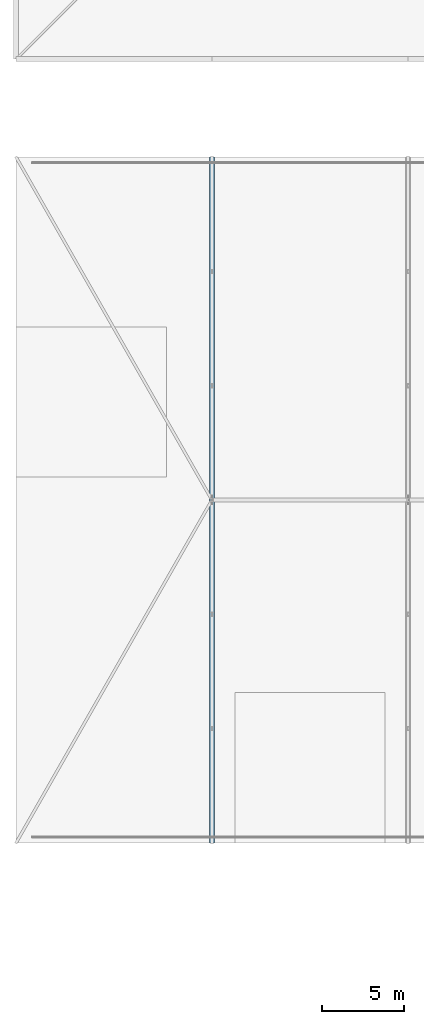
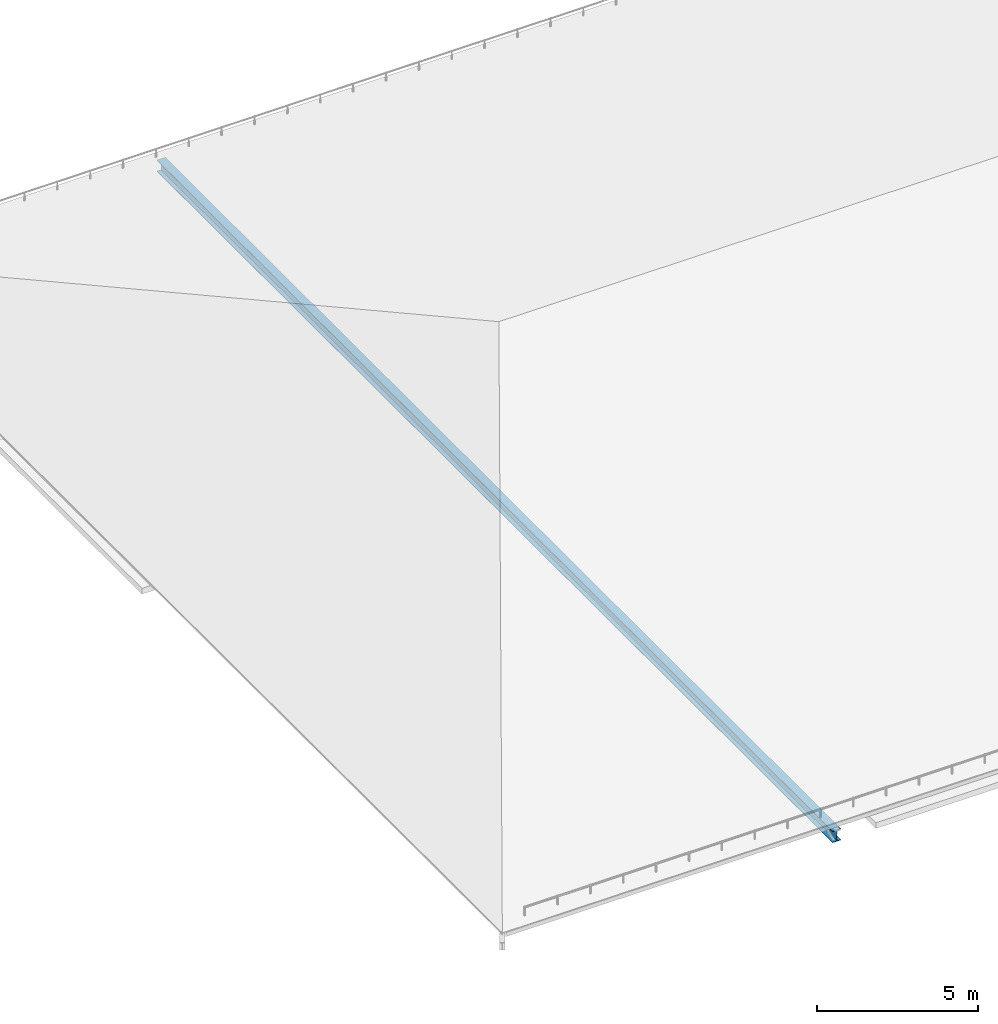
# One storey, part 6 of 204: 1 member.
"""IFC4 building model written with IfcOpenShell, lengths in metres."""

from ifc_helpers import new_model, si_unit, direction, frame, origin, origin_2d, place, context, subcontext, project, spatial, i_section, extrude, material, material_profile, profile_set, type_object, element, save


model = new_model("IFC4")

# Units and contexts
model_context = context("Model", 3, precision=1e-05, world=origin(), true_north=direction((0.0, 1.0)))
body_context = subcontext(model_context, "Body", "Model", "MODEL_VIEW")
ifc_project = project(units=[si_unit("LENGTHUNIT", "METRE"), si_unit("AREAUNIT", "SQUARE_METRE"), si_unit("VOLUMEUNIT", "CUBIC_METRE"), si_unit("PLANEANGLEUNIT", "RADIAN"), si_unit("MASSUNIT", "GRAM", prefix="KILO")], contexts=[model_context])

# Site, building, storey
site_placement = place(None, origin())
site = spatial("IfcSite", under=ifc_project, at=site_placement, CompositionType="ELEMENT")
building_placement = place(site_placement, origin())
building = spatial("IfcBuilding", under=site, at=building_placement, Name="Zilviju Railside Exhibition Hall", CompositionType="ELEMENT")
storey_placement = place(building_placement, frame((0.0, 0.0, 21.0)))
storey = spatial("IfcBuildingStorey", under=building, at=storey_placement, Name="RF", CompositionType="ELEMENT", Elevation=21.0)

# Member
ifc_material = material(Name="Steel S355J2", Category="steel")
ifc_material_profile = material_profile(ifc_material, i_section(OverallWidth=0.300048828125, OverallDepth=0.43994140625, WebThickness=0.011474609375, FlangeThickness=0.02099609375, at=origin_2d()), Name="HEA 450")
ifc_profile_set = profile_set([ifc_material_profile], Name="Steel S355J2")
member_type = type_object("IfcMemberType", Name="TR-CH-HEA450", PredefinedType="CHORD", material=ifc_profile_set)
member_placement = place(storey_placement, frame((12.0, 36.0, -8.39990234375), z_axis=(0.0, 1.0, 0.0), x_axis=(-1.0, 0.0, 0.0)))
element("IfcMember", 1, at=member_placement, inside=storey, type_object=member_type, Name="Congress Acoustic Truss Bottom Chord X=12.0", PredefinedType="CHORD", context=body_context, shape_type="SweptSolid", body=[
    extrude(i_section(OverallWidth=0.300048828125, OverallDepth=0.43994140625, WebThickness=0.011474609375, FlangeThickness=0.02099609375, at=origin_2d()), origin(), (0.0, 0.0, 1.0), 42.0),
])

save(model, "model.ifc")
